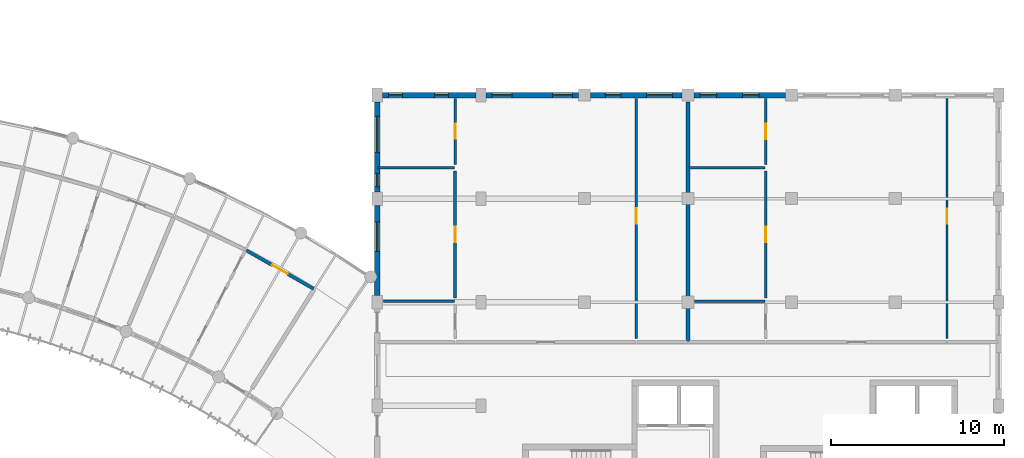
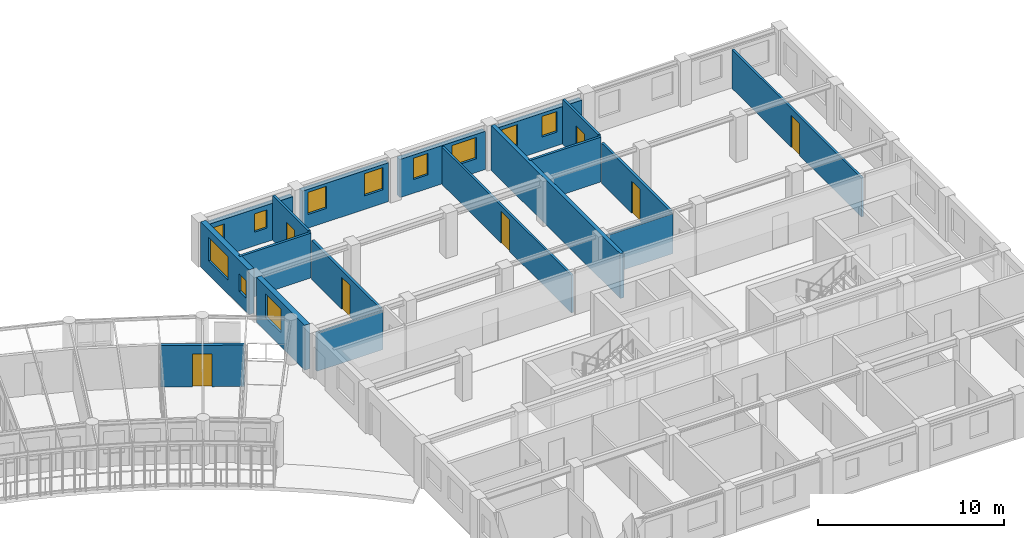
# One storey, part 114 of 137: 18 walls, 11 windows, 7 doors, 18 openings.
"""IFC4 building model written with IfcOpenShell, lengths in metres."""

from ifc_helpers import new_model, si_unit, direction, frame, frame_2d, origin, place, context, subcontext, project, spatial, rectangle, extrude, material, layer, layer_set, type_object, element, fill, save


model = new_model("IFC4")

# Units and contexts
model_context = context("Model", 3, precision=1e-05, world=origin(), true_north=direction((0.0, 1.0)))
body_context = subcontext(model_context, "Body", "Model", "MODEL_VIEW")
ifc_project = project(units=[si_unit("LENGTHUNIT", "METRE"), si_unit("AREAUNIT", "SQUARE_METRE"), si_unit("VOLUMEUNIT", "CUBIC_METRE"), si_unit("PLANEANGLEUNIT", "RADIAN"), si_unit("MASSUNIT", "GRAM", prefix="KILO"), si_unit("POWERUNIT", "WATT"), si_unit("THERMODYNAMICTEMPERATUREUNIT", "KELVIN")], contexts=[model_context])

# Site, building, storey
site_placement = place(None, origin())
site = spatial("IfcSite", under=ifc_project, at=site_placement, CompositionType="ELEMENT")
building_placement = place(site_placement, origin())
building = spatial("IfcBuilding", under=site, at=building_placement, Name="Ruvembo Vaulted Housing Court", CompositionType="ELEMENT")
storey_placement = place(building_placement, frame((0.0, 0.0, 4.5)))
storey = spatial("IfcBuildingStorey", under=building, at=storey_placement, Name="L01", CompositionType="ELEMENT", Elevation=4.5)

# Wall, opening, door
ifc_material_1 = material(Name="Concrete Blockwork 190", Category="masonry")
ifc_layer_1 = layer(ifc_material_1, 0.18994140625, Name="Concrete Blockwork 190")
ifc_layer_set_1 = layer_set([ifc_layer_1], Name="Concrete Blockwork 190")
wall_type_1 = type_object("IfcWallType", Name="WL-CORR-190", PredefinedType="SOLIDWALL", material=ifc_layer_set_1)
wall_1_placement = place(storey_placement, frame((142.39599609375, 99.00927734375, 0.0), z_axis=(0.0, 0.0, 1.0), x_axis=(0.868376606973, -0.495905301909, 0.0)))
wall_1 = element("IfcWall", 1, at=wall_1_placement, inside=storey, type_object=wall_type_1, Name="L01 Suite SC3-L01-U7 Entrance WL-INT-L01-00477", PredefinedType="SOLIDWALL", context=body_context, shape_type="SweptSolid", body=[
    extrude(rectangle(XDim=4.501708984375, YDim=0.18994140625, at=frame_2d((2.2509765625, 0.0))), origin(), (0.0, 0.0, 1.0), 2.721923828125),
])
opening_1_placement = place(wall_1_placement, frame((1.725830078125, 0.0, 0.0)))
opening_1 = element("IfcOpeningElement", 2, at=opening_1_placement, cuts=wall_1, Name="Opening FD3", PredefinedType="OPENING", context=body_context, shape_type="SweptSolid", body=[
    extrude(rectangle(XDim=1.050048828125, YDim=2.14990234375, at=frame_2d((0.52490234375, 1.074951171875))), frame((0.0, 0.10498046875, 0.0), z_axis=(0.0, -1.0, 0.0), x_axis=(1.0, 0.0, 0.0)), (0.0, 0.0, 1.0), 0.2099609375),
])
ifc_material_2 = material(Name="FSC Hardwood and Engineered Timber", Category="wood")
door_type_1 = type_object("IfcDoorType", Name="DR-FLAT-1050x2150", OperationType="NOTDEFINED", PredefinedType="DOOR", material=ifc_material_2)
door_1_placement = place(opening_1_placement, origin())
door_1 = element("IfcDoor", 3, at=door_1_placement, inside=storey, type_object=door_type_1, Name="L01 Suite SC3-L01-U7 Entrance Door DR-INT-L01-00260", OperationType="SINGLE_SWING_RIGHT", OverallHeight=2.14990234375, OverallWidth=1.050048828125, PredefinedType="DOOR", context=body_context, shape_type="SweptSolid", body=[
    extrude(rectangle(XDim=1.050048828125, YDim=2.14990234375, at=frame_2d((0.52490234375, 1.074951171875))), frame((0.0, 0.02490234375, 0.0), z_axis=(0.0, -1.0, 0.0), x_axis=(1.0, 0.0, 0.0)), (0.0, 0.0, 1.0), 0.050048828125),
])
fill(opening_1, door_1)

# Wall
ifc_material_3 = material(Name="Acoustic Masonry Demising 230", Category="masonry")
ifc_layer_2 = layer(ifc_material_3, 0.22998046875, Name="Acoustic Masonry Demising 230")
ifc_layer_set_2 = layer_set([ifc_layer_2], Name="Acoustic Masonry Demising 230")
wall_type_2 = type_object("IfcWallType", Name="WL-DEM-230", PredefinedType="SOLIDWALL", material=ifc_layer_set_2)
wall_2_placement = place(storey_placement, frame((168.0, 93.739990234375, 0.0), z_axis=(0.0, 0.0, 1.0), x_axis=(0.0, 1.0, 0.0)))
element("IfcWall", 4, at=wall_2_placement, inside=storey, type_object=wall_type_2, Name="L01 Demising D-L01-N1 WL-INT-L01-00351", PredefinedType="SOLIDWALL", context=body_context, shape_type="SweptSolid", body=[
    extrude(rectangle(XDim=13.8701171875, YDim=0.22998046875, at=frame_2d((6.93505859375, 0.0))), origin(), (0.0, 0.0, 1.0), 2.945068359375),
])

# Wall, openings, windows
ifc_material_4 = material(Name="Rendered Masonry 320", Category="masonry")
ifc_layer_3 = layer(ifc_material_4, 0.320068359375, Name="Rendered Masonry 320")
ifc_layer_set_3 = layer_set([ifc_layer_3], Name="Rendered Masonry 320")
wall_type_3 = type_object("IfcWallType", Name="WL-EXT-320", PredefinedType="STANDARD", material=ifc_layer_set_3)
wall_3_placement = place(storey_placement, frame((173.64990234375, 108.0, 0.0), z_axis=(0.0, 0.0, 1.0), x_axis=(-1.0, 0.0, 0.0)))
wall_3 = element("IfcWall", 5, at=wall_3_placement, inside=storey, type_object=wall_type_3, Name="Block D L01 Exterior Wall STREET #3", PredefinedType="STANDARD", context=body_context, shape_type="SweptSolid", body=[
    extrude(rectangle(XDim=5.2998046875, YDim=0.320068359375, at=frame_2d((2.64990234375, 0.0))), origin(), (0.0, 0.0, 1.0), 2.4580078125),
])
opening_2_placement = place(wall_3_placement, frame((1.5400390625, 0.0, 0.89990234375)))
opening_2 = element("IfcOpeningElement", 6, at=opening_2_placement, cuts=wall_3, Name="Opening W07", PredefinedType="OPENING", context=body_context, shape_type="SweptSolid", body=[
    extrude(rectangle(XDim=0.949951171875, YDim=1.35009765625, at=frame_2d((0.47509765625, 0.675048828125))), frame((0.0, 0.169921875, 0.0), z_axis=(0.0, -1.0, 0.0), x_axis=(1.0, 0.0, 0.0)), (0.0, 0.0, 1.0), 0.340087890625),
])
opening_3_placement = place(wall_3_placement, frame((4.0, 0.0, 0.89990234375)))
opening_3 = element("IfcOpeningElement", 7, at=opening_3_placement, cuts=wall_3, Name="Opening W07", PredefinedType="OPENING", context=body_context, shape_type="SweptSolid", body=[
    extrude(rectangle(XDim=0.949951171875, YDim=1.35009765625, at=frame_2d((0.47509765625, 0.675048828125))), frame((0.0, 0.169921875, 0.0), z_axis=(0.0, -1.0, 0.0), x_axis=(1.0, 0.0, 0.0)), (0.0, 0.0, 1.0), 0.340087890625),
])
ifc_material_5 = material(Name="Double Solar-Control Glazing in Aluminium Frame", Category="aluminium")
window_type_1 = type_object("IfcWindowType", Name="WIN-0950x1350", PartitioningType="SINGLE_PANEL", PredefinedType="WINDOW", material=ifc_material_5)
window_1_placement = place(opening_2_placement, origin())
window_1 = element("IfcWindow", 8, at=window_1_placement, inside=storey, type_object=window_type_1, Name="Block D L01 Window #1515", OverallHeight=1.35009765625, OverallWidth=0.949951171875, PartitioningType="SINGLE_PANEL", PredefinedType="WINDOW", context=body_context, shape_type="SweptSolid", body=[
    extrude(rectangle(XDim=0.949951171875, YDim=1.35009765625, at=frame_2d((0.47509765625, 0.675048828125))), frame((0.0, 0.030029296875, 0.0), z_axis=(0.0, -1.0, 0.0), x_axis=(1.0, 0.0, 0.0)), (0.0, 0.0, 1.0), 0.06005859375),
])
fill(opening_2, window_1)
window_2_placement = place(opening_3_placement, origin())
window_2 = element("IfcWindow", 9, at=window_2_placement, inside=storey, type_object=window_type_1, Name="Block D L01 Window #1516", OverallHeight=1.35009765625, OverallWidth=0.949951171875, PartitioningType="SINGLE_PANEL", PredefinedType="WINDOW", context=body_context, shape_type="SweptSolid", body=[
    extrude(rectangle(XDim=0.949951171875, YDim=1.35009765625, at=frame_2d((0.47509765625, 0.675048828125))), frame((0.0, 0.030029296875, 0.0), z_axis=(0.0, -1.0, 0.0), x_axis=(1.0, 0.0, 0.0)), (0.0, 0.0, 1.0), 0.06005859375),
])
fill(opening_3, window_2)

wall_4_placement = place(storey_placement, frame((167.64990234375, 108.0, 0.0), z_axis=(0.0, 0.0, 1.0), x_axis=(-1.0, 0.0, 0.0)))
wall_4 = element("IfcWall", 10, at=wall_4_placement, inside=storey, type_object=wall_type_3, Name="Block D L01 Exterior Wall STREET #4", PredefinedType="STANDARD", context=body_context, shape_type="SweptSolid", body=[
    extrude(rectangle(XDim=5.2998046875, YDim=0.320068359375, at=frame_2d((2.64990234375, 0.0))), origin(), (0.0, 0.0, 1.0), 2.508056640625),
])
opening_4_placement = place(wall_4_placement, frame((0.554931640625, 0.0, 0.89990234375)))
opening_4 = element("IfcOpeningElement", 11, at=opening_4_placement, cuts=wall_4, Name="Opening W18", PredefinedType="OPENING", context=body_context, shape_type="SweptSolid", body=[
    extrude(rectangle(XDim=1.5, YDim=1.39990234375, at=frame_2d((0.75, 0.699951171875))), frame((0.0, 0.169921875, 0.0), z_axis=(0.0, -1.0, 0.0), x_axis=(1.0, 0.0, 0.0)), (0.0, 0.0, 1.0), 0.340087890625),
])
opening_5_placement = place(wall_4_placement, frame((3.544921875, 0.0, 0.89990234375)))
opening_5 = element("IfcOpeningElement", 12, at=opening_5_placement, cuts=wall_4, Name="Opening W05", PredefinedType="OPENING", context=body_context, shape_type="SweptSolid", body=[
    extrude(rectangle(XDim=0.89990234375, YDim=1.39990234375, at=frame_2d((0.449951171875, 0.699951171875))), frame((0.0, 0.169921875, 0.0), z_axis=(0.0, -1.0, 0.0), x_axis=(1.0, 0.0, 0.0)), (0.0, 0.0, 1.0), 0.340087890625),
])
window_type_2 = type_object("IfcWindowType", Name="WIN-0900x1400", PartitioningType="SINGLE_PANEL", PredefinedType="WINDOW", material=ifc_material_5)
window_3_placement = place(opening_5_placement, origin())
window_3 = element("IfcWindow", 13, at=window_3_placement, inside=storey, type_object=window_type_2, Name="Block D L01 Window #1518", OverallHeight=1.39990234375, OverallWidth=0.89990234375, PartitioningType="SINGLE_PANEL", PredefinedType="WINDOW", context=body_context, shape_type="SweptSolid", body=[
    extrude(rectangle(XDim=0.89990234375, YDim=1.39990234375, at=frame_2d((0.449951171875, 0.699951171875))), frame((0.0, 0.030029296875, 0.0), z_axis=(0.0, -1.0, 0.0), x_axis=(1.0, 0.0, 0.0)), (0.0, 0.0, 1.0), 0.06005859375),
])
fill(opening_5, window_3)
window_type_3 = type_object("IfcWindowType", Name="WIN-1500x1400", PartitioningType="SINGLE_PANEL", PredefinedType="WINDOW", material=ifc_material_5)
window_4_placement = place(opening_4_placement, origin())
window_4 = element("IfcWindow", 14, at=window_4_placement, inside=storey, type_object=window_type_3, Name="Block D L01 Window #1517", OverallHeight=1.39990234375, OverallWidth=1.5, PartitioningType="SINGLE_PANEL", PredefinedType="WINDOW", context=body_context, shape_type="SweptSolid", body=[
    extrude(rectangle(XDim=1.5, YDim=1.39990234375, at=frame_2d((0.75, 0.699951171875))), frame((0.0, 0.030029296875, 0.0), z_axis=(0.0, -1.0, 0.0), x_axis=(1.0, 0.0, 0.0)), (0.0, 0.0, 1.0), 0.06005859375),
])
fill(opening_4, window_4)

wall_5_placement = place(storey_placement, frame((161.64990234375, 108.0, 0.0), z_axis=(0.0, 0.0, 1.0), x_axis=(-1.0, 0.0, 0.0)))
wall_5 = element("IfcWall", 15, at=wall_5_placement, inside=storey, type_object=wall_type_3, Name="Block D L01 Exterior Wall STREET #5", PredefinedType="STANDARD", context=body_context, shape_type="SweptSolid", body=[
    extrude(rectangle(XDim=5.349853515625, YDim=0.320068359375, at=frame_2d((2.6748046875, 0.0))), origin(), (0.0, 0.0, 1.0), 2.548095703125),
])
opening_6_placement = place(wall_5_placement, frame((0.35009765625, 0.0, 0.89990234375)))
opening_6 = element("IfcOpeningElement", 16, at=opening_6_placement, cuts=wall_5, Name="Opening W11", PredefinedType="OPENING", context=body_context, shape_type="SweptSolid", body=[
    extrude(rectangle(XDim=1.14990234375, YDim=1.449951171875, at=frame_2d((0.574951171875, 0.72509765625))), frame((0.0, 0.169921875, 0.0), z_axis=(0.0, -1.0, 0.0), x_axis=(1.0, 0.0, 0.0)), (0.0, 0.0, 1.0), 0.340087890625),
])
opening_7_placement = place(wall_5_placement, frame((3.85009765625, 0.0, 0.89990234375)))
opening_7 = element("IfcOpeningElement", 17, at=opening_7_placement, cuts=wall_5, Name="Opening W11", PredefinedType="OPENING", context=body_context, shape_type="SweptSolid", body=[
    extrude(rectangle(XDim=1.14990234375, YDim=1.449951171875, at=frame_2d((0.574951171875, 0.72509765625))), frame((0.0, 0.169921875, 0.0), z_axis=(0.0, -1.0, 0.0), x_axis=(1.0, 0.0, 0.0)), (0.0, 0.0, 1.0), 0.340087890625),
])
window_type_4 = type_object("IfcWindowType", Name="WIN-1150x1450", PartitioningType="SINGLE_PANEL", PredefinedType="WINDOW", material=ifc_material_5)
window_5_placement = place(opening_6_placement, origin())
window_5 = element("IfcWindow", 18, at=window_5_placement, inside=storey, type_object=window_type_4, Name="Block D L01 Window #1519", OverallHeight=1.449951171875, OverallWidth=1.14990234375, PartitioningType="SINGLE_PANEL", PredefinedType="WINDOW", context=body_context, shape_type="SweptSolid", body=[
    extrude(rectangle(XDim=1.14990234375, YDim=1.449951171875, at=frame_2d((0.574951171875, 0.72509765625))), frame((0.0, 0.030029296875, 0.0), z_axis=(0.0, -1.0, 0.0), x_axis=(1.0, 0.0, 0.0)), (0.0, 0.0, 1.0), 0.06005859375),
])
fill(opening_6, window_5)
window_6_placement = place(opening_7_placement, origin())
window_6 = element("IfcWindow", 19, at=window_6_placement, inside=storey, type_object=window_type_4, Name="Block D L01 Window #1520", OverallHeight=1.449951171875, OverallWidth=1.14990234375, PartitioningType="SINGLE_PANEL", PredefinedType="WINDOW", context=body_context, shape_type="SweptSolid", body=[
    extrude(rectangle(XDim=1.14990234375, YDim=1.449951171875, at=frame_2d((0.574951171875, 0.72509765625))), frame((0.0, 0.030029296875, 0.0), z_axis=(0.0, -1.0, 0.0), x_axis=(1.0, 0.0, 0.0)), (0.0, 0.0, 1.0), 0.06005859375),
])
fill(opening_7, window_6)

wall_6_placement = place(storey_placement, frame((155.699951171875, 108.0, 0.0), z_axis=(0.0, 0.0, 1.0), x_axis=(-1.0, 0.0, 0.0)))
wall_6 = element("IfcWall", 20, at=wall_6_placement, inside=storey, type_object=wall_type_3, Name="Block D L01 Exterior Wall STREET #6", PredefinedType="STANDARD", context=body_context, shape_type="SweptSolid", body=[
    extrude(rectangle(XDim=5.39990234375, YDim=0.320068359375, at=frame_2d((2.699951171875, 0.0))), origin(), (0.0, 0.0, 1.0), 2.407958984375),
])
opening_8_placement = place(wall_6_placement, frame((1.590087890625, 0.0, 0.89990234375)))
opening_8 = element("IfcOpeningElement", 21, at=opening_8_placement, cuts=wall_6, Name="Opening W02", PredefinedType="OPENING", context=body_context, shape_type="SweptSolid", body=[
    extrude(rectangle(XDim=0.800048828125, YDim=1.199951171875, at=frame_2d((0.39990234375, 0.60009765625))), frame((0.0, 0.169921875, 0.0), z_axis=(0.0, -1.0, 0.0), x_axis=(1.0, 0.0, 0.0)), (0.0, 0.0, 1.0), 0.340087890625),
])
opening_9_placement = place(wall_6_placement, frame((4.25, 0.0, 0.89990234375)))
opening_9 = element("IfcOpeningElement", 22, at=opening_9_placement, cuts=wall_6, Name="Opening W02", PredefinedType="OPENING", context=body_context, shape_type="SweptSolid", body=[
    extrude(rectangle(XDim=0.800048828125, YDim=1.199951171875, at=frame_2d((0.39990234375, 0.60009765625))), frame((0.0, 0.169921875, 0.0), z_axis=(0.0, -1.0, 0.0), x_axis=(1.0, 0.0, 0.0)), (0.0, 0.0, 1.0), 0.340087890625),
])
window_type_5 = type_object("IfcWindowType", Name="WIN-0800x1200", PartitioningType="SINGLE_PANEL", PredefinedType="WINDOW", material=ifc_material_5)
window_7_placement = place(opening_8_placement, origin())
window_7 = element("IfcWindow", 23, at=window_7_placement, inside=storey, type_object=window_type_5, Name="Block D L01 Window #1521", OverallHeight=1.199951171875, OverallWidth=0.800048828125, PartitioningType="SINGLE_PANEL", PredefinedType="WINDOW", context=body_context, shape_type="SweptSolid", body=[
    extrude(rectangle(XDim=0.800048828125, YDim=1.199951171875, at=frame_2d((0.39990234375, 0.60009765625))), frame((0.0, 0.030029296875, 0.0), z_axis=(0.0, -1.0, 0.0), x_axis=(1.0, 0.0, 0.0)), (0.0, 0.0, 1.0), 0.06005859375),
])
fill(opening_8, window_7)
window_8_placement = place(opening_9_placement, origin())
window_8 = element("IfcWindow", 24, at=window_8_placement, inside=storey, type_object=window_type_5, Name="Block D L01 Window #1522", OverallHeight=1.199951171875, OverallWidth=0.800048828125, PartitioningType="SINGLE_PANEL", PredefinedType="WINDOW", context=body_context, shape_type="SweptSolid", body=[
    extrude(rectangle(XDim=0.800048828125, YDim=1.199951171875, at=frame_2d((0.39990234375, 0.60009765625))), frame((0.0, 0.030029296875, 0.0), z_axis=(0.0, -1.0, 0.0), x_axis=(1.0, 0.0, 0.0)), (0.0, 0.0, 1.0), 0.06005859375),
])
fill(opening_9, window_8)

wall_7_placement = place(storey_placement, frame((150.0, 107.60009765625, 0.0), z_axis=(0.0, 0.0, 1.0), x_axis=(0.0, -1.0, 0.0)))
wall_7 = element("IfcWall", 25, at=wall_7_placement, inside=storey, type_object=wall_type_3, Name="Block D L01 Exterior Wall WEST #1", PredefinedType="STANDARD", context=body_context, shape_type="SweptSolid", body=[
    extrude(rectangle(XDim=5.2001953125, YDim=0.320068359375, at=frame_2d((2.60009765625, 0.0))), origin(), (0.0, 0.0, 1.0), 2.945068359375),
])
opening_10_placement = place(wall_7_placement, frame((0.830078125, 0.0, 0.89990234375)))
opening_10 = element("IfcOpeningElement", 26, at=opening_10_placement, cuts=wall_7, Name="Opening W25", PredefinedType="OPENING", context=body_context, shape_type="SweptSolid", body=[
    extrude(rectangle(XDim=2.10009765625, YDim=1.550048828125, at=frame_2d((1.050048828125, 0.77490234375))), frame((0.0, 0.169921875, 0.0), z_axis=(0.0, -1.0, 0.0), x_axis=(1.0, 0.0, 0.0)), (0.0, 0.0, 1.0), 0.340087890625),
])
opening_11_placement = place(wall_7_placement, frame((4.14501953125, 0.0, 0.89990234375)))
opening_11 = element("IfcOpeningElement", 27, at=opening_11_placement, cuts=wall_7, Name="Opening W01", PredefinedType="OPENING", context=body_context, shape_type="SweptSolid", body=[
    extrude(rectangle(XDim=0.75, YDim=1.14990234375, at=frame_2d((0.375, 0.574951171875))), frame((0.0, 0.169921875, 0.0), z_axis=(0.0, -1.0, 0.0), x_axis=(1.0, 0.0, 0.0)), (0.0, 0.0, 1.0), 0.340087890625),
])
window_type_6 = type_object("IfcWindowType", Name="WIN-0750x1150", PartitioningType="SINGLE_PANEL", PredefinedType="WINDOW", material=ifc_material_5)
window_9_placement = place(opening_11_placement, origin())
window_9 = element("IfcWindow", 28, at=window_9_placement, inside=storey, type_object=window_type_6, Name="Block D L01 Window #1524", OverallHeight=1.14990234375, OverallWidth=0.75, PartitioningType="SINGLE_PANEL", PredefinedType="WINDOW", context=body_context, shape_type="SweptSolid", body=[
    extrude(rectangle(XDim=0.75, YDim=1.14990234375, at=frame_2d((0.375, 0.574951171875))), frame((0.0, 0.030029296875, 0.0), z_axis=(0.0, -1.0, 0.0), x_axis=(1.0, 0.0, 0.0)), (0.0, 0.0, 1.0), 0.06005859375),
])
fill(opening_11, window_9)
window_type_7 = type_object("IfcWindowType", Name="WIN-2100x1550", PartitioningType="SINGLE_PANEL", PredefinedType="WINDOW", material=ifc_material_5)
window_10_placement = place(opening_10_placement, origin())
window_10 = element("IfcWindow", 29, at=window_10_placement, inside=storey, type_object=window_type_7, Name="Block D L01 Window #1523", OverallHeight=1.550048828125, OverallWidth=2.10009765625, PartitioningType="SINGLE_PANEL", PredefinedType="WINDOW", context=body_context, shape_type="SweptSolid", body=[
    extrude(rectangle(XDim=2.10009765625, YDim=1.550048828125, at=frame_2d((1.050048828125, 0.77490234375))), frame((0.0, 0.030029296875, 0.0), z_axis=(0.0, -1.0, 0.0), x_axis=(1.0, 0.0, 0.0)), (0.0, 0.0, 1.0), 0.06005859375),
])
fill(opening_10, window_10)

# Wall, opening, window
wall_8_placement = place(storey_placement, frame((150.0, 101.60009765625, 0.0), z_axis=(0.0, 0.0, 1.0), x_axis=(0.0, -1.0, 0.0)))
wall_8 = element("IfcWall", 30, at=wall_8_placement, inside=storey, type_object=wall_type_3, Name="Block D L01 Exterior Wall WEST #2", PredefinedType="STANDARD", context=body_context, shape_type="SweptSolid", body=[
    extrude(rectangle(XDim=5.2001953125, YDim=0.320068359375, at=frame_2d((2.60009765625, 0.0))), origin(), (0.0, 0.0, 1.0), 2.945068359375),
])
opening_12_placement = place(wall_8_placement, frame((0.951416015625, 0.0, 0.89990234375)))
opening_12 = element("IfcOpeningElement", 31, at=opening_12_placement, cuts=wall_8, Name="Opening W21", PredefinedType="OPENING", context=body_context, shape_type="SweptSolid", body=[
    extrude(rectangle(XDim=1.699951171875, YDim=1.550048828125, at=frame_2d((0.85009765625, 0.77490234375))), frame((0.0, 0.169921875, 0.0), z_axis=(0.0, -1.0, 0.0), x_axis=(1.0, 0.0, 0.0)), (0.0, 0.0, 1.0), 0.340087890625),
])
window_type_8 = type_object("IfcWindowType", Name="WIN-1700x1550", PartitioningType="SINGLE_PANEL", PredefinedType="WINDOW", material=ifc_material_5)
window_11_placement = place(opening_12_placement, origin())
window_11 = element("IfcWindow", 32, at=window_11_placement, inside=storey, type_object=window_type_8, Name="Block D L01 Window #1525", OverallHeight=1.550048828125, OverallWidth=1.699951171875, PartitioningType="SINGLE_PANEL", PredefinedType="WINDOW", context=body_context, shape_type="SweptSolid", body=[
    extrude(rectangle(XDim=1.699951171875, YDim=1.550048828125, at=frame_2d((0.85009765625, 0.77490234375))), frame((0.0, 0.030029296875, 0.0), z_axis=(0.0, -1.0, 0.0), x_axis=(1.0, 0.0, 0.0)), (0.0, 0.0, 1.0), 0.06005859375),
])
fill(opening_12, window_11)

# Wall, opening, door
ifc_material_6 = material(Name="Acoustic Stud Partition 135", Category="gypsum")
ifc_layer_4 = layer(ifc_material_6, 0.135009765625, Name="Acoustic Stud Partition 135")
ifc_layer_set_4 = layer_set([ifc_layer_4], Name="Acoustic Stud Partition 135")
wall_type_4 = type_object("IfcWallType", Name="WL-PART-135", PredefinedType="PARTITIONING", material=ifc_layer_set_4)
wall_9_placement = place(storey_placement, frame((154.5, 103.989990234375, 0.0), z_axis=(0.0, 0.0, 1.0), x_axis=(0.0, 1.0, 0.0)))
wall_9 = element("IfcWall", 33, at=wall_9_placement, inside=storey, type_object=wall_type_4, Name="L01 Flat D-L01-N1 Bedroom 1 WL-INT-L01-00354", PredefinedType="PARTITIONING", context=body_context, shape_type="SweptSolid", body=[
    extrude(rectangle(XDim=3.820068359375, YDim=0.135009765625, at=frame_2d((1.91015625, 0.0))), origin(), (0.0, 0.0, 1.0), 2.945068359375),
])
opening_13_placement = place(wall_9_placement, frame((1.469970703125, 0.0, 0.0)))
opening_13 = element("IfcOpeningElement", 34, at=opening_13_placement, cuts=wall_9, Name="Opening ID3", PredefinedType="OPENING", context=body_context, shape_type="SweptSolid", body=[
    extrude(rectangle(XDim=0.8798828125, YDim=2.10009765625, at=frame_2d((0.43994140625, 1.050048828125))), frame((0.0, 0.077392578125, 0.0), z_axis=(0.0, -1.0, 0.0), x_axis=(1.0, 0.0, 0.0)), (0.0, 0.0, 1.0), 0.155029296875),
])
door_type_2 = type_object("IfcDoorType", Name="DR-ROOM-0880x2100", OperationType="NOTDEFINED", PredefinedType="DOOR", material=ifc_material_2)
door_2_placement = place(opening_13_placement, origin())
door_2 = element("IfcDoor", 35, at=door_2_placement, inside=storey, type_object=door_type_2, Name="L01 Flat D-L01-N1 Bedroom 1 Door DR-INT-L01-00179", OperationType="SINGLE_SWING_LEFT", OverallHeight=2.10009765625, OverallWidth=0.8798828125, PredefinedType="DOOR", context=body_context, shape_type="SweptSolid", body=[
    extrude(rectangle(XDim=0.8798828125, YDim=2.10009765625, at=frame_2d((0.43994140625, 1.050048828125))), frame((0.0, 0.02490234375, 0.0), z_axis=(0.0, -1.0, 0.0), x_axis=(1.0, 0.0, 0.0)), (0.0, 0.0, 1.0), 0.050048828125),
])
fill(opening_13, door_2)

wall_10_placement = place(storey_placement, frame((165.0, 93.889892578125, 0.0), z_axis=(0.0, 0.0, 1.0), x_axis=(0.0, 1.0, 0.0)))
wall_10 = element("IfcWall", 36, at=wall_10_placement, inside=storey, type_object=wall_type_4, Name="L01 Flat D-L01-N1 Bedroom 2 WL-INT-L01-00360", PredefinedType="PARTITIONING", context=body_context, shape_type="SweptSolid", body=[
    extrude(rectangle(XDim=13.920166015625, YDim=0.135009765625, at=frame_2d((6.9599609375, 0.0))), origin(), (0.0, 0.0, 1.0), 2.4580078125),
])
opening_14_placement = place(wall_10_placement, frame((6.64990234375, 0.0, 0.0)))
opening_14 = element("IfcOpeningElement", 37, at=opening_14_placement, cuts=wall_10, Name="Opening ID1", PredefinedType="OPENING", context=body_context, shape_type="SweptSolid", body=[
    extrude(rectangle(XDim=0.89990234375, YDim=2.10009765625, at=frame_2d((0.449951171875, 1.050048828125))), frame((0.0, 0.077392578125, 0.0), z_axis=(0.0, -1.0, 0.0), x_axis=(1.0, 0.0, 0.0)), (0.0, 0.0, 1.0), 0.155029296875),
])
door_type_3 = type_object("IfcDoorType", Name="DR-ROOM-0900x2100", OperationType="NOTDEFINED", PredefinedType="DOOR", material=ifc_material_2)
door_3_placement = place(opening_14_placement, origin())
door_3 = element("IfcDoor", 38, at=door_3_placement, inside=storey, type_object=door_type_3, Name="L01 Flat D-L01-N1 Bedroom 2 Door DR-INT-L01-00182", OperationType="SINGLE_SWING_RIGHT", OverallHeight=2.10009765625, OverallWidth=0.89990234375, PredefinedType="DOOR", context=body_context, shape_type="SweptSolid", body=[
    extrude(rectangle(XDim=0.89990234375, YDim=2.10009765625, at=frame_2d((0.449951171875, 1.050048828125))), frame((0.0, 0.02490234375, 0.0), z_axis=(0.0, -1.0, 0.0), x_axis=(1.0, 0.0, 0.0)), (0.0, 0.0, 1.0), 0.050048828125),
])
fill(opening_14, door_3)

wall_11_placement = place(storey_placement, frame((172.5, 103.989990234375, 0.0), z_axis=(0.0, 0.0, 1.0), x_axis=(0.0, 1.0, 0.0)))
wall_11 = element("IfcWall", 39, at=wall_11_placement, inside=storey, type_object=wall_type_4, Name="L01 Flat D-L01-N2 Bedroom 1 WL-INT-L01-00363", PredefinedType="PARTITIONING", context=body_context, shape_type="SweptSolid", body=[
    extrude(rectangle(XDim=3.820068359375, YDim=0.135009765625, at=frame_2d((1.91015625, 0.0))), origin(), (0.0, 0.0, 1.0), 2.945068359375),
])
opening_15_placement = place(wall_11_placement, frame((1.4599609375, 0.0, 0.0)))
opening_15 = element("IfcOpeningElement", 40, at=opening_15_placement, cuts=wall_11, Name="Opening ID1", PredefinedType="OPENING", context=body_context, shape_type="SweptSolid", body=[
    extrude(rectangle(XDim=0.89990234375, YDim=2.10009765625, at=frame_2d((0.449951171875, 1.050048828125))), frame((0.0, 0.077392578125, 0.0), z_axis=(0.0, -1.0, 0.0), x_axis=(1.0, 0.0, 0.0)), (0.0, 0.0, 1.0), 0.155029296875),
])
door_4_placement = place(opening_15_placement, origin())
door_4 = element("IfcDoor", 41, at=door_4_placement, inside=storey, type_object=door_type_3, Name="L01 Flat D-L01-N2 Bedroom 1 Door DR-INT-L01-00184", OperationType="SINGLE_SWING_RIGHT", OverallHeight=2.10009765625, OverallWidth=0.89990234375, PredefinedType="DOOR", context=body_context, shape_type="SweptSolid", body=[
    extrude(rectangle(XDim=0.89990234375, YDim=2.10009765625, at=frame_2d((0.449951171875, 1.050048828125))), frame((0.0, 0.02490234375, 0.0), z_axis=(0.0, -1.0, 0.0), x_axis=(1.0, 0.0, 0.0)), (0.0, 0.0, 1.0), 0.050048828125),
])
fill(opening_15, door_4)

wall_12_placement = place(storey_placement, frame((183.0, 93.889892578125, 0.0), z_axis=(0.0, 0.0, 1.0), x_axis=(0.0, 1.0, 0.0)))
wall_12 = element("IfcWall", 42, at=wall_12_placement, inside=storey, type_object=wall_type_4, Name="L01 Flat D-L01-N2 Bedroom 2 WL-INT-L01-00369", PredefinedType="PARTITIONING", context=body_context, shape_type="SweptSolid", body=[
    extrude(rectangle(XDim=13.920166015625, YDim=0.135009765625, at=frame_2d((6.9599609375, 0.0))), origin(), (0.0, 0.0, 1.0), 2.548095703125),
])
opening_16_placement = place(wall_12_placement, frame((6.64990234375, 0.0, 0.0)))
opening_16 = element("IfcOpeningElement", 43, at=opening_16_placement, cuts=wall_12, Name="Opening ID3", PredefinedType="OPENING", context=body_context, shape_type="SweptSolid", body=[
    extrude(rectangle(XDim=0.8798828125, YDim=2.10009765625, at=frame_2d((0.43994140625, 1.050048828125))), frame((0.0, 0.077392578125, 0.0), z_axis=(0.0, -1.0, 0.0), x_axis=(1.0, 0.0, 0.0)), (0.0, 0.0, 1.0), 0.155029296875),
])
door_5_placement = place(opening_16_placement, origin())
door_5 = element("IfcDoor", 44, at=door_5_placement, inside=storey, type_object=door_type_2, Name="L01 Flat D-L01-N2 Bedroom 2 Door DR-INT-L01-00187", OperationType="SINGLE_SWING_LEFT", OverallHeight=2.10009765625, OverallWidth=0.8798828125, PredefinedType="DOOR", context=body_context, shape_type="SweptSolid", body=[
    extrude(rectangle(XDim=0.8798828125, YDim=2.10009765625, at=frame_2d((0.43994140625, 1.050048828125))), frame((0.0, 0.02490234375, 0.0), z_axis=(0.0, -1.0, 0.0), x_axis=(1.0, 0.0, 0.0)), (0.0, 0.0, 1.0), 0.050048828125),
])
fill(opening_16, door_5)

# Walls
ifc_material_7 = material(Name="Moisture-Resistant Wet Partition 150", Category="gypsum")
ifc_layer_5 = layer(ifc_material_7, 0.14990234375, Name="Moisture-Resistant Wet Partition 150")
ifc_layer_set_5 = layer_set([ifc_layer_5], Name="Moisture-Resistant Wet Partition 150")
wall_type_5 = type_object("IfcWallType", Name="WL-PART-150", PredefinedType="PARTITIONING", material=ifc_layer_set_5)
wall_13_placement = place(storey_placement, frame((150.0400390625, 103.800048828125, 0.0), z_axis=(0.0, 0.0, 1.0), x_axis=(1.0, 0.0, 0.0)))
element("IfcWall", 45, at=wall_13_placement, inside=storey, type_object=wall_type_5, Name="L01 Flat D-L01-N1 Wet Wall 1 WL-INT-L01-00357", PredefinedType="PARTITIONING", context=body_context, shape_type="SweptSolid", body=[
    extrude(rectangle(XDim=4.419921875, YDim=0.14990234375, at=frame_2d((2.2099609375, 0.0))), origin(), (0.0, 0.0, 1.0), 2.945068359375),
])
wall_14_placement = place(storey_placement, frame((150.360107421875, 96.050048828125, 0.0), z_axis=(0.0, 0.0, 1.0), x_axis=(1.0, 0.0, 0.0)))
element("IfcWall", 46, at=wall_14_placement, inside=storey, type_object=wall_type_5, Name="L01 Flat D-L01-N1 Wet Wall 2 WL-INT-L01-00358", PredefinedType="PARTITIONING", context=body_context, shape_type="SweptSolid", body=[
    extrude(rectangle(XDim=4.099853515625, YDim=0.14990234375, at=frame_2d((2.0498046875, 0.0))), origin(), (0.0, 0.0, 1.0), 2.508056640625),
])
wall_15_placement = place(storey_placement, frame((168.0400390625, 103.800048828125, 0.0), z_axis=(0.0, 0.0, 1.0), x_axis=(1.0, 0.0, 0.0)))
element("IfcWall", 47, at=wall_15_placement, inside=storey, type_object=wall_type_5, Name="L01 Flat D-L01-N2 Wet Wall 1 WL-INT-L01-00366", PredefinedType="PARTITIONING", context=body_context, shape_type="SweptSolid", body=[
    extrude(rectangle(XDim=4.419921875, YDim=0.14990234375, at=frame_2d((2.2099609375, 0.0))), origin(), (0.0, 0.0, 1.0), 2.945068359375),
])
wall_16_placement = place(storey_placement, frame((168.360107421875, 96.050048828125, 0.0), z_axis=(0.0, 0.0, 1.0), x_axis=(1.0, 0.0, 0.0)))
element("IfcWall", 48, at=wall_16_placement, inside=storey, type_object=wall_type_5, Name="L01 Flat D-L01-N2 Wet Wall 2 WL-INT-L01-00367", PredefinedType="PARTITIONING", context=body_context, shape_type="SweptSolid", body=[
    extrude(rectangle(XDim=4.099853515625, YDim=0.14990234375, at=frame_2d((2.0498046875, 0.0))), origin(), (0.0, 0.0, 1.0), 2.60791015625),
])

# Wall, opening, door
ifc_material_8 = material(Name="Acoustic Service Chase Wall 160", Category="gypsum")
ifc_layer_6 = layer(ifc_material_8, 0.159912109375, Name="Acoustic Service Chase Wall 160")
ifc_layer_set_6 = layer_set([ifc_layer_6], Name="Acoustic Service Chase Wall 160")
wall_type_6 = type_object("IfcWallType", Name="WL-PLUMB-160", PredefinedType="PLUMBINGWALL", material=ifc_layer_set_6)
wall_17_placement = place(storey_placement, frame((154.5, 96.239990234375, 0.0), z_axis=(0.0, 0.0, 1.0), x_axis=(0.0, 1.0, 0.0)))
wall_17 = element("IfcWall", 49, at=wall_17_placement, inside=storey, type_object=wall_type_6, Name="L01 Flat D-L01-N1 Kitchen WL-INT-L01-00355", PredefinedType="PLUMBINGWALL", context=body_context, shape_type="SweptSolid", body=[
    extrude(rectangle(XDim=7.3701171875, YDim=0.159912109375, at=frame_2d((3.68505859375, 0.0))), origin(), (0.0, 0.0, 1.0), 2.548095703125),
])
opening_17_placement = place(wall_17_placement, frame((3.235107421875, 0.0, 0.0)))
opening_17 = element("IfcOpeningElement", 50, at=opening_17_placement, cuts=wall_17, Name="Opening ID1", PredefinedType="OPENING", context=body_context, shape_type="SweptSolid", body=[
    extrude(rectangle(XDim=0.89990234375, YDim=2.10009765625, at=frame_2d((0.449951171875, 1.050048828125))), frame((0.0, 0.08984375, 0.0), z_axis=(0.0, -1.0, 0.0), x_axis=(1.0, 0.0, 0.0)), (0.0, 0.0, 1.0), 0.179931640625),
])
door_6_placement = place(opening_17_placement, origin())
door_6 = element("IfcDoor", 51, at=door_6_placement, inside=storey, type_object=door_type_3, Name="L01 Flat D-L01-N1 Kitchen Door DR-INT-L01-00180", OperationType="SINGLE_SWING_RIGHT", OverallHeight=2.10009765625, OverallWidth=0.89990234375, PredefinedType="DOOR", context=body_context, shape_type="SweptSolid", body=[
    extrude(rectangle(XDim=0.89990234375, YDim=2.10009765625, at=frame_2d((0.449951171875, 1.050048828125))), frame((0.0, 0.02490234375, 0.0), z_axis=(0.0, -1.0, 0.0), x_axis=(1.0, 0.0, 0.0)), (0.0, 0.0, 1.0), 0.050048828125),
])
fill(opening_17, door_6)

wall_18_placement = place(storey_placement, frame((172.5, 96.239990234375, 0.0), z_axis=(0.0, 0.0, 1.0), x_axis=(0.0, 1.0, 0.0)))
wall_18 = element("IfcWall", 52, at=wall_18_placement, inside=storey, type_object=wall_type_6, Name="L01 Flat D-L01-N2 Kitchen WL-INT-L01-00364", PredefinedType="PLUMBINGWALL", context=body_context, shape_type="SweptSolid", body=[
    extrude(rectangle(XDim=7.3701171875, YDim=0.159912109375, at=frame_2d((3.68505859375, 0.0))), origin(), (0.0, 0.0, 1.0), 2.637939453125),
])
opening_18_placement = place(wall_18_placement, frame((3.2451171875, 0.0, 0.0)))
opening_18 = element("IfcOpeningElement", 53, at=opening_18_placement, cuts=wall_18, Name="Opening ID3", PredefinedType="OPENING", context=body_context, shape_type="SweptSolid", body=[
    extrude(rectangle(XDim=0.8798828125, YDim=2.10009765625, at=frame_2d((0.43994140625, 1.050048828125))), frame((0.0, 0.08984375, 0.0), z_axis=(0.0, -1.0, 0.0), x_axis=(1.0, 0.0, 0.0)), (0.0, 0.0, 1.0), 0.179931640625),
])
door_7_placement = place(opening_18_placement, origin())
door_7 = element("IfcDoor", 54, at=door_7_placement, inside=storey, type_object=door_type_2, Name="L01 Flat D-L01-N2 Kitchen Door DR-INT-L01-00185", OperationType="SINGLE_SWING_LEFT", OverallHeight=2.10009765625, OverallWidth=0.8798828125, PredefinedType="DOOR", context=body_context, shape_type="SweptSolid", body=[
    extrude(rectangle(XDim=0.8798828125, YDim=2.10009765625, at=frame_2d((0.43994140625, 1.050048828125))), frame((0.0, 0.02490234375, 0.0), z_axis=(0.0, -1.0, 0.0), x_axis=(1.0, 0.0, 0.0)), (0.0, 0.0, 1.0), 0.050048828125),
])
fill(opening_18, door_7)

save(model, "model.ifc")
